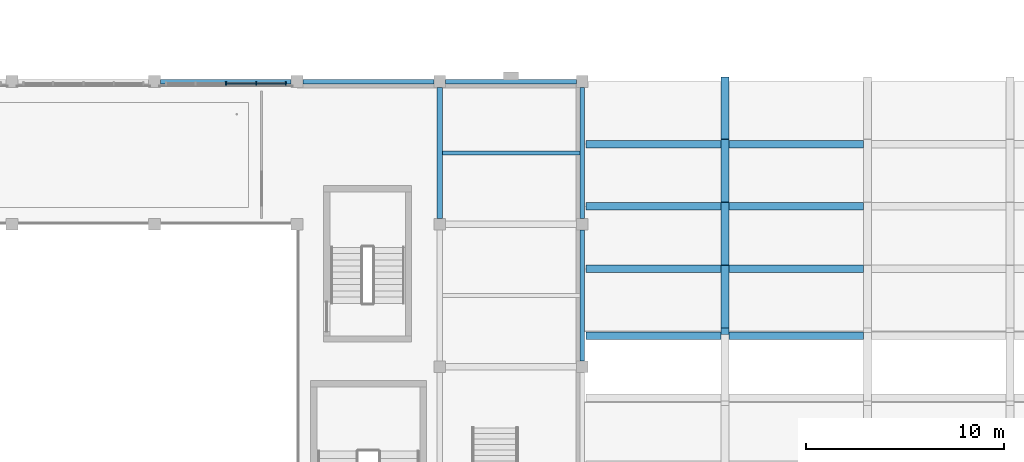
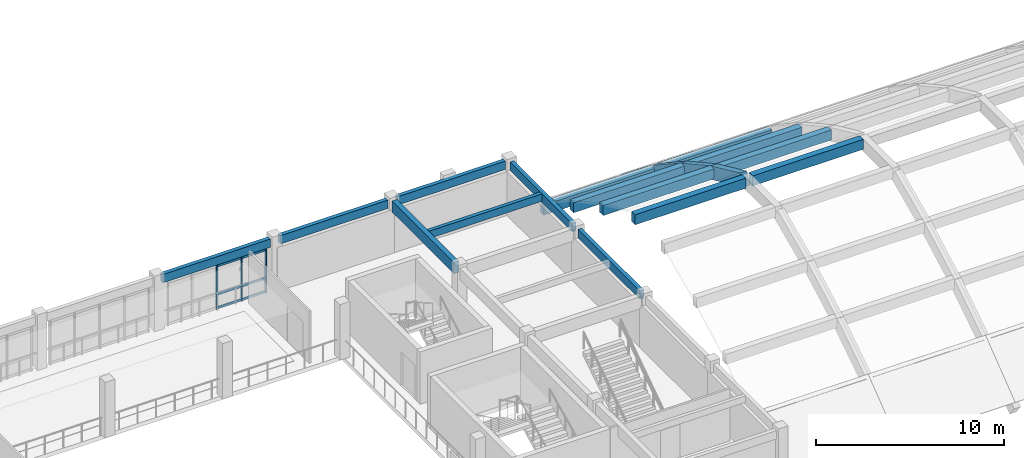
# One storey, part 15 of 85: 19 beams, 9 members, 1 element without a shape of its own.
"""IFC4 building model written with IfcOpenShell, lengths in metres."""

from ifc_helpers import new_model, si_unit, direction, frame, origin, origin_2d, place, context, subcontext, project, spatial, rectangle, extrude, material, material_profile, profile_set, type_object, element, aggregate, save


model = new_model("IFC4")

# Units and contexts
model_context = context("Model", 3, precision=1e-05, world=origin(), true_north=direction((0.0, 1.0)))
body_context = subcontext(model_context, "Body", "Model", "MODEL_VIEW")
ifc_project = project(units=[si_unit("LENGTHUNIT", "METRE"), si_unit("AREAUNIT", "SQUARE_METRE"), si_unit("VOLUMEUNIT", "CUBIC_METRE"), si_unit("PLANEANGLEUNIT", "RADIAN"), si_unit("MASSUNIT", "GRAM", prefix="KILO")], contexts=[model_context])

# Site, building, storey
site_placement = place(None, origin())
site = spatial("IfcSite", under=ifc_project, at=site_placement, CompositionType="ELEMENT")
building_placement = place(site_placement, origin())
building = spatial("IfcBuilding", under=site, at=building_placement, Name="Alvorim Cloister Faculty of Sciences", CompositionType="ELEMENT")
storey_placement = place(building_placement, frame((0.0, 0.0, 8.550048828125)))
storey = spatial("IfcBuildingStorey", under=building, at=storey_placement, Name="L02", CompositionType="ELEMENT", Elevation=8.550048828125)

# Beams
ifc_material_1 = material(Name="Concrete C40", Category="concrete")
ifc_material_profile_1 = material_profile(ifc_material_1, rectangle(XDim=0.39990234375, YDim=0.800048828125, at=origin_2d()), Name="RC40-ARCH-400x800")
ifc_profile_set_1 = profile_set([ifc_material_profile_1], Name="Concrete C40")
beam_type_1 = type_object("IfcBeamType", Name="BM-ARCH-400x800", PredefinedType="BEAM", material=ifc_profile_set_1)
beam_1_placement = place(storey_placement, frame((122.39990234375, 16.199951171875, 7.168212890625), z_axis=(0.0, 0.909008111331, -0.416778422587), x_axis=(-1.0, 0.0, 0.0)))
element("IfcBeam", 1, at=beam_1_placement, inside=storey, type_object=beam_type_1, Name="SH-V1 Pointed Arch Rib Chord BM-2269", PredefinedType="BEAM", context=body_context, shape_type="SweptSolid", body=[
    extrude(rectangle(XDim=0.39990234375, YDim=0.800048828125, at=origin_2d()), origin(), (0.0, 0.0, 1.0), 3.465576171875),
])
beam_2_placement = place(storey_placement, frame((122.39990234375, 19.35009765625, 5.723876953125), z_axis=(0.0, 0.875903252887, -0.48248677866), x_axis=(-1.0, 0.0, 0.0)))
element("IfcBeam", 2, at=beam_2_placement, inside=storey, type_object=beam_type_1, Name="SH-V1 Pointed Arch Rib Chord BM-2270", PredefinedType="BEAM", context=body_context, shape_type="SweptSolid", body=[
    extrude(rectangle(XDim=0.39990234375, YDim=0.800048828125, at=origin_2d()), origin(), (0.0, 0.0, 1.0), 3.59619140625),
])
beam_3_placement = place(storey_placement, frame((122.39990234375, 22.5, 3.98876953125), z_axis=(0.0, 0.83634327519, -0.548206098146), x_axis=(-1.0, 0.0, 0.0)))
element("IfcBeam", 3, at=beam_3_placement, inside=storey, type_object=beam_type_1, Name="SH-V1 Pointed Arch Rib Chord BM-2271", PredefinedType="BEAM", context=body_context, shape_type="SweptSolid", body=[
    extrude(rectangle(XDim=0.39990234375, YDim=0.800048828125, at=origin_2d()), origin(), (0.0, 0.0, 1.0), 3.766357421875),
])
beam_4_placement = place(storey_placement, frame((122.39990234375, 25.64990234375, 1.924072265625), z_axis=(0.0, 0.789342335142, -0.613953319033), x_axis=(-1.0, 0.0, 0.0)))
element("IfcBeam", 4, at=beam_4_placement, inside=storey, type_object=beam_type_1, Name="SH-V1 Pointed Arch Rib Chord BM-2272", PredefinedType="BEAM", context=body_context, shape_type="SweptSolid", body=[
    extrude(rectangle(XDim=0.39990234375, YDim=0.800048828125, at=origin_2d()), origin(), (0.0, 0.0, 1.0), 3.990966796875),
])
ifc_material_2 = material(Name="Glulam GL32h", Category="wood")
ifc_material_profile_2 = material_profile(ifc_material_2, rectangle(XDim=0.300048828125, YDim=0.719970703125, at=origin_2d()), Name="GL32-BM-300x720")
ifc_profile_set_2 = profile_set([ifc_material_profile_2], Name="Glulam GL32h")
beam_type_2 = type_object("IfcBeamType", Name="BM-GL-300x720", PredefinedType="BEAM", material=ifc_profile_set_2)
beam_5_placement = place(storey_placement, frame((108.0, 21.89990234375, 3.030029296875), z_axis=(0.0, 1.0, 0.0), x_axis=(-1.0, 0.0, 0.0)))
element("IfcBeam", 5, at=beam_5_placement, inside=storey, type_object=beam_type_2, Name="L02 Primary Girder BM-1432", PredefinedType="BEAM", context=body_context, shape_type="SweptSolid", body=[
    extrude(rectangle(XDim=0.300048828125, YDim=0.719970703125, at=origin_2d()), origin(), (0.0, 0.0, 1.0), 6.60009765625),
])
ifc_material_3 = material(Name="Glulam GL28h", Category="wood")
ifc_material_profile_3 = material_profile(ifc_material_3, rectangle(XDim=0.219970703125, YDim=0.47998046875, at=origin_2d()), Name="GL28-JST-220x480")
ifc_profile_set_3 = profile_set([ifc_material_profile_3], Name="Glulam GL28h")
beam_type_3 = type_object("IfcBeamType", Name="BM-JST-GL-220x480", PredefinedType="JOIST", material=ifc_profile_set_3)
beam_6_placement = place(storey_placement, frame((108.14990234375, 25.199951171875, 3.14990234375), z_axis=(1.0, 0.0, 0.0), x_axis=(0.0, 1.0, 0.0)))
element("IfcBeam", 6, at=beam_6_placement, inside=storey, type_object=beam_type_3, Name="L02 Secondary Floor Joist BM-1499", PredefinedType="JOIST", context=body_context, shape_type="SweptSolid", body=[
    extrude(rectangle(XDim=0.219970703125, YDim=0.47998046875, at=origin_2d()), origin(), (0.0, 0.0, 1.0), 6.93017578125),
])
ifc_material_profile_4 = material_profile(ifc_material_1, rectangle(XDim=0.3798828125, YDim=0.64990234375, at=origin_2d()), Name="RC40-BM-380x650")
ifc_profile_set_4 = profile_set([ifc_material_profile_4], Name="Concrete C40")
beam_type_4 = type_object("IfcBeamType", Name="BM-RC-380x650", PredefinedType="BEAM", material=ifc_profile_set_4)
beam_7_placement = place(storey_placement, frame((115.39990234375, 19.35009765625, 5.784912109375), z_axis=(1.0, 0.0, 0.0), x_axis=(0.0, 1.0, 0.0)))
element("IfcBeam", 7, at=beam_7_placement, inside=storey, type_object=beam_type_4, Name="L02 SH-V1 Vault Stringer BM-2349", PredefinedType="BEAM", context=body_context, shape_type="SweptSolid", body=[
    extrude(rectangle(XDim=0.3798828125, YDim=0.64990234375, at=origin_2d()), origin(), (0.0, 0.0, 1.0), 6.800048828125),
])
beam_8_placement = place(storey_placement, frame((122.60009765625, 19.35009765625, 5.784912109375), z_axis=(1.0, 0.0, 0.0), x_axis=(0.0, 1.0, 0.0)))
element("IfcBeam", 8, at=beam_8_placement, inside=storey, type_object=beam_type_4, Name="L02 SH-V1 Vault Stringer BM-2350", PredefinedType="BEAM", context=body_context, shape_type="SweptSolid", body=[
    extrude(rectangle(XDim=0.3798828125, YDim=0.64990234375, at=origin_2d()), origin(), (0.0, 0.0, 1.0), 6.7998046875),
])
beam_9_placement = place(storey_placement, frame((115.39990234375, 22.5, 4.049560546875), z_axis=(1.0, 0.0, 0.0), x_axis=(0.0, 1.0, 0.0)))
element("IfcBeam", 9, at=beam_9_placement, inside=storey, type_object=beam_type_4, Name="L02 SH-V1 Vault Stringer BM-2356", PredefinedType="BEAM", context=body_context, shape_type="SweptSolid", body=[
    extrude(rectangle(XDim=0.3798828125, YDim=0.64990234375, at=origin_2d()), origin(), (0.0, 0.0, 1.0), 6.800048828125),
])
beam_10_placement = place(storey_placement, frame((122.60009765625, 22.5, 4.049560546875), z_axis=(1.0, 0.0, 0.0), x_axis=(0.0, 1.0, 0.0)))
element("IfcBeam", 10, at=beam_10_placement, inside=storey, type_object=beam_type_4, Name="L02 SH-V1 Vault Stringer BM-2357", PredefinedType="BEAM", context=body_context, shape_type="SweptSolid", body=[
    extrude(rectangle(XDim=0.3798828125, YDim=0.64990234375, at=origin_2d()), origin(), (0.0, 0.0, 1.0), 6.7998046875),
])
beam_11_placement = place(storey_placement, frame((115.39990234375, 25.64990234375, 1.98486328125), z_axis=(1.0, 0.0, 0.0), x_axis=(0.0, 1.0, 0.0)))
element("IfcBeam", 11, at=beam_11_placement, inside=storey, type_object=beam_type_4, Name="L02 SH-V1 Vault Stringer BM-2363", PredefinedType="BEAM", context=body_context, shape_type="SweptSolid", body=[
    extrude(rectangle(XDim=0.3798828125, YDim=0.64990234375, at=origin_2d()), origin(), (0.0, 0.0, 1.0), 6.800048828125),
])
beam_12_placement = place(storey_placement, frame((122.60009765625, 25.64990234375, 1.98486328125), z_axis=(1.0, 0.0, 0.0), x_axis=(0.0, 1.0, 0.0)))
element("IfcBeam", 12, at=beam_12_placement, inside=storey, type_object=beam_type_4, Name="L02 SH-V1 Vault Stringer BM-2364", PredefinedType="BEAM", context=body_context, shape_type="SweptSolid", body=[
    extrude(rectangle(XDim=0.3798828125, YDim=0.64990234375, at=origin_2d()), origin(), (0.0, 0.0, 1.0), 6.7998046875),
])
beam_13_placement = place(storey_placement, frame((115.39990234375, 15.9599609375, 7.2392578125), z_axis=(1.0, 0.0, 0.0), x_axis=(0.0, 1.0, 0.0)))
element("IfcBeam", 13, at=beam_13_placement, inside=storey, type_object=beam_type_4, Name="L02 SH-V1 Lantern Curb Beam BM-2377", PredefinedType="BEAM", context=body_context, shape_type="SweptSolid", body=[
    extrude(rectangle(XDim=0.3798828125, YDim=0.64990234375, at=origin_2d()), origin(), (0.0, 0.0, 1.0), 6.800048828125),
])
beam_14_placement = place(storey_placement, frame((122.60009765625, 15.9599609375, 7.2392578125), z_axis=(1.0, 0.0, 0.0), x_axis=(0.0, 1.0, 0.0)))
element("IfcBeam", 14, at=beam_14_placement, inside=storey, type_object=beam_type_4, Name="L02 SH-V1 Lantern Curb Beam BM-2378", PredefinedType="BEAM", context=body_context, shape_type="SweptSolid", body=[
    extrude(rectangle(XDim=0.3798828125, YDim=0.64990234375, at=origin_2d()), origin(), (0.0, 0.0, 1.0), 6.7998046875),
])
ifc_material_profile_5 = material_profile(ifc_material_3, rectangle(XDim=0.239990234375, YDim=0.5400390625, at=origin_2d()), Name="GL28-SPD-240x540")
ifc_profile_set_5 = profile_set([ifc_material_profile_5], Name="Glulam GL28h")
beam_type_5 = type_object("IfcBeamType", Name="BM-SPD-GL-240x540", PredefinedType="SPANDREL", material=ifc_profile_set_5)
beam_15_placement = place(storey_placement, frame((93.89990234375, 28.800048828125, 3.119873046875), z_axis=(1.0, 0.0, 0.0), x_axis=(0.0, 1.0, 0.0)))
element("IfcBeam", 15, at=beam_15_placement, inside=storey, type_object=beam_type_5, Name="L02 Primary Beam BM-1285", PredefinedType="SPANDREL", context=body_context, shape_type="SweptSolid", body=[
    extrude(rectangle(XDim=0.239990234375, YDim=0.5400390625, at=origin_2d()), origin(), (0.0, 0.0, 1.0), 6.60009765625),
])
for number, where, z_axis, x_axis, name in (
    (16, (101.10009765625, 28.800048828125, 3.119873046875), (1.0, 0.0, 0.0), (0.0, 1.0, 0.0), "L02 Primary Beam BM-1286"),
    (17, (108.300048828125, 28.800048828125, 3.119873046875), (1.0, 0.0, 0.0), (0.0, 1.0, 0.0), "L02 Primary Beam BM-1287"),
):
    element("IfcBeam", number, at=place(storey_placement, frame(where, z_axis=z_axis, x_axis=x_axis)), inside=storey, type_object=beam_type_5, Name=name, PredefinedType="SPANDREL", context=body_context, shape_type="SweptSolid", body=[
        extrude(rectangle(XDim=0.239990234375, YDim=0.5400390625, at=origin_2d()), origin(), (0.0, 0.0, 1.0), 6.599853515625),
    ])
for number, where, z_axis, x_axis, name in (
    (18, (115.199951171875, 14.699951171875, 3.119873046875), (0.0, 1.0, 0.0), (-1.0, 0.0, 0.0), "L02 Primary Girder BM-1435"),
    (19, (115.199951171875, 21.89990234375, 3.119873046875), (0.0, 1.0, 0.0), (-1.0, 0.0, 0.0), "L02 Primary Girder BM-1436"),
):
    element("IfcBeam", number, at=place(storey_placement, frame(where, z_axis=z_axis, x_axis=x_axis)), inside=storey, type_object=beam_type_5, Name=name, PredefinedType="SPANDREL", context=body_context, shape_type="SweptSolid", body=[
        extrude(rectangle(XDim=0.239990234375, YDim=0.5400390625, at=origin_2d()), origin(), (0.0, 0.0, 1.0), 6.60009765625),
    ])

# Curtain wall, members
ifc_material_4 = material(Name="Aluminium and Low-E Glass Curtain Wall", Category="aluminium")
curtain_wall_type = type_object("IfcCurtainWallType", Name="CW-GLZ-6120x2850", PredefinedType="USERDEFINED", material=ifc_material_4)
curtain_wall_placement = place(storey_placement, origin())
curtain_wall = element("IfcCurtainWall", 20, at=curtain_wall_placement, inside=storey, type_object=curtain_wall_type, Name="L02 Entrance and Atrium Glazed Curtain Wall CW-0099", ObjectType="UNITISED CURTAIN WALL", PredefinedType="USERDEFINED")
ifc_material_5 = material(Name="Aluminium Alloy 6063-T6", Category="aluminium")
ifc_material_profile_6 = material_profile(ifc_material_5, rectangle(XDim=0.06494140625, YDim=0.179931640625, at=origin_2d()), Name="ALU-MUL-65x180")
ifc_profile_set_6 = profile_set([ifc_material_profile_6], Name="Aluminium Alloy 6063-T6")
member_type_1 = type_object("IfcMemberType", Name="CW-MUL-65x180", PredefinedType="MULLION", material=ifc_profile_set_6)
member_1_placement = place(storey_placement, frame((97.199951171875, 28.7099609375, 0.0), z_axis=(0.0, 0.0, 1.0), x_axis=(1.0, 0.0, 0.0)))
member_1 = element("IfcMember", 21, at=member_1_placement, type_object=member_type_1, Name="CW-10 mullion 3", PredefinedType="MULLION", context=body_context, shape_type="SweptSolid", body=[
    extrude(rectangle(XDim=0.06494140625, YDim=0.179931640625, at=origin_2d()), origin(), (0.0, 0.0, 1.0), 2.849853515625),
])
member_2_placement = place(storey_placement, frame((98.72998046875, 28.7099609375, 0.0), z_axis=(0.0, 0.0, 1.0), x_axis=(1.0, 0.0, 0.0)))
member_2 = element("IfcMember", 22, at=member_2_placement, type_object=member_type_1, Name="CW-10 mullion 4", PredefinedType="MULLION", context=body_context, shape_type="SweptSolid", body=[
    extrude(rectangle(XDim=0.06494140625, YDim=0.179931640625, at=origin_2d()), origin(), (0.0, 0.0, 1.0), 2.849853515625),
])
member_3_placement = place(storey_placement, frame((100.2275390625, 28.7099609375, 0.0), z_axis=(0.0, 0.0, 1.0), x_axis=(1.0, 0.0, 0.0)))
member_3 = element("IfcMember", 23, at=member_3_placement, type_object=member_type_1, Name="CW-10 mullion 5", PredefinedType="MULLION", context=body_context, shape_type="SweptSolid", body=[
    extrude(rectangle(XDim=0.06494140625, YDim=0.179931640625, at=origin_2d()), origin(), (0.0, 0.0, 1.0), 2.849853515625),
])
ifc_material_profile_7 = material_profile(ifc_material_5, rectangle(XDim=0.06494140625, YDim=0.139892578125, at=origin_2d()), Name="ALU-TRN-65x140")
ifc_profile_set_7 = profile_set([ifc_material_profile_7], Name="Aluminium Alloy 6063-T6")
member_type_2 = type_object("IfcMemberType", Name="CW-TRN-65x140", PredefinedType="USERDEFINED", material=ifc_profile_set_7)
member_4_placement = place(storey_placement, frame((97.232421875, 28.7099609375, 0.070068359375), z_axis=(1.0, 0.0, 0.0), x_axis=(0.0, 1.0, 0.0)))
member_4 = element("IfcMember", 24, at=member_4_placement, type_object=member_type_2, Name="CW-10 transom 3.1", ObjectType="TRANSOM", PredefinedType="USERDEFINED", context=body_context, shape_type="SweptSolid", body=[
    extrude(rectangle(XDim=0.06494140625, YDim=0.139892578125, at=origin_2d()), origin(), (0.0, 0.0, 1.0), 1.465087890625),
])
member_5_placement = place(storey_placement, frame((97.232421875, 28.7099609375, 0.949951171875), z_axis=(1.0, 0.0, 0.0), x_axis=(0.0, 1.0, 0.0)))
member_5 = element("IfcMember", 25, at=member_5_placement, type_object=member_type_2, Name="CW-10 transom 3.2", ObjectType="TRANSOM", PredefinedType="USERDEFINED", context=body_context, shape_type="SweptSolid", body=[
    extrude(rectangle(XDim=0.06494140625, YDim=0.139892578125, at=origin_2d()), origin(), (0.0, 0.0, 1.0), 1.465087890625),
])
member_6_placement = place(storey_placement, frame((97.232421875, 28.7099609375, 2.780029296875), z_axis=(1.0, 0.0, 0.0), x_axis=(0.0, 1.0, 0.0)))
member_6 = element("IfcMember", 26, at=member_6_placement, type_object=member_type_2, Name="CW-10 transom 3.3", ObjectType="TRANSOM", PredefinedType="USERDEFINED", context=body_context, shape_type="SweptSolid", body=[
    extrude(rectangle(XDim=0.06494140625, YDim=0.139892578125, at=origin_2d()), origin(), (0.0, 0.0, 1.0), 1.465087890625),
])
member_7_placement = place(storey_placement, frame((98.762451171875, 28.7099609375, 0.070068359375), z_axis=(1.0, 0.0, 0.0), x_axis=(0.0, 1.0, 0.0)))
member_7 = element("IfcMember", 27, at=member_7_placement, type_object=member_type_2, Name="CW-10 transom 4.1", ObjectType="TRANSOM", PredefinedType="USERDEFINED", context=body_context, shape_type="SweptSolid", body=[
    extrude(rectangle(XDim=0.06494140625, YDim=0.139892578125, at=origin_2d()), origin(), (0.0, 0.0, 1.0), 1.4326171875),
])
member_8_placement = place(storey_placement, frame((98.762451171875, 28.7099609375, 0.949951171875), z_axis=(1.0, 0.0, 0.0), x_axis=(0.0, 1.0, 0.0)))
member_8 = element("IfcMember", 28, at=member_8_placement, type_object=member_type_2, Name="CW-10 transom 4.2", ObjectType="TRANSOM", PredefinedType="USERDEFINED", context=body_context, shape_type="SweptSolid", body=[
    extrude(rectangle(XDim=0.06494140625, YDim=0.139892578125, at=origin_2d()), origin(), (0.0, 0.0, 1.0), 1.4326171875),
])
member_9_placement = place(storey_placement, frame((98.762451171875, 28.7099609375, 2.780029296875), z_axis=(1.0, 0.0, 0.0), x_axis=(0.0, 1.0, 0.0)))
member_9 = element("IfcMember", 29, at=member_9_placement, type_object=member_type_2, Name="CW-10 transom 4.3", ObjectType="TRANSOM", PredefinedType="USERDEFINED", context=body_context, shape_type="SweptSolid", body=[
    extrude(rectangle(XDim=0.06494140625, YDim=0.139892578125, at=origin_2d()), origin(), (0.0, 0.0, 1.0), 1.4326171875),
])
aggregate(curtain_wall, [member_1, member_2, member_3, member_4, member_5, member_6, member_7, member_8, member_9])

save(model, "model.ifc")
